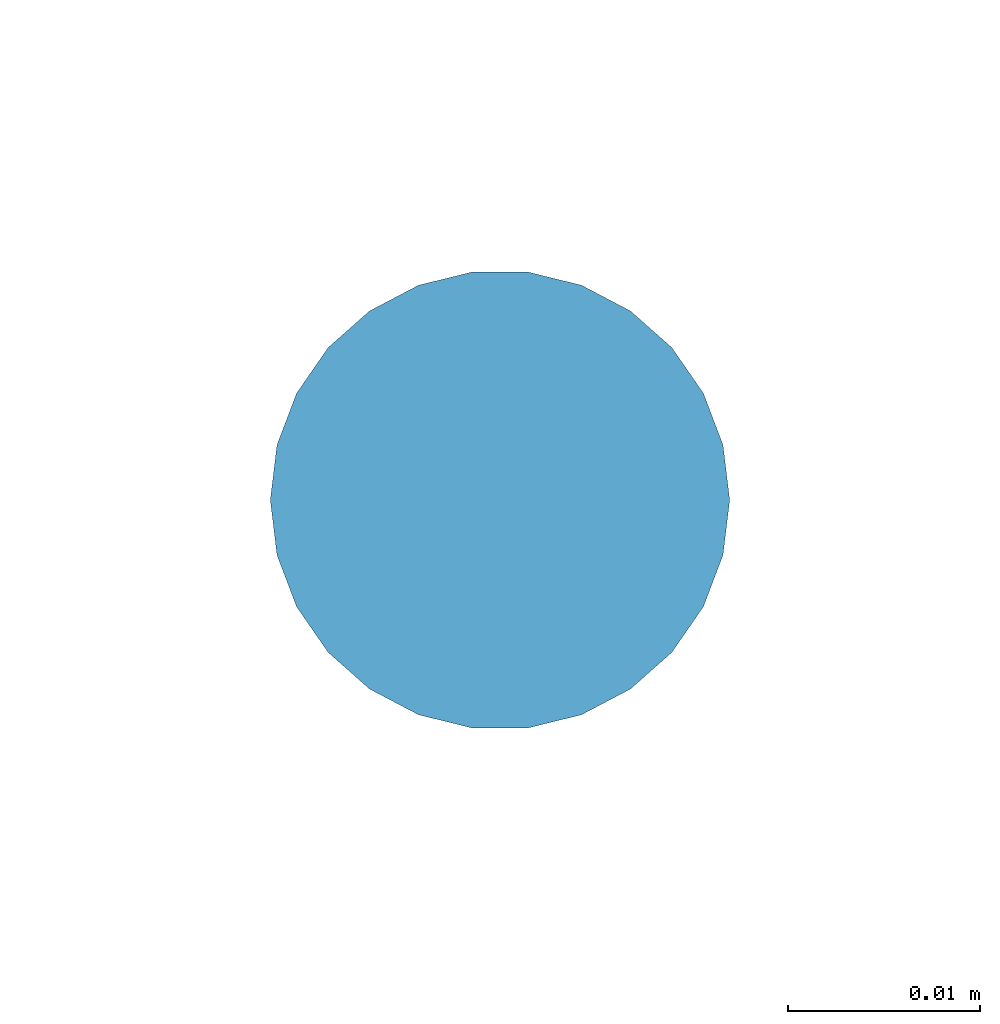
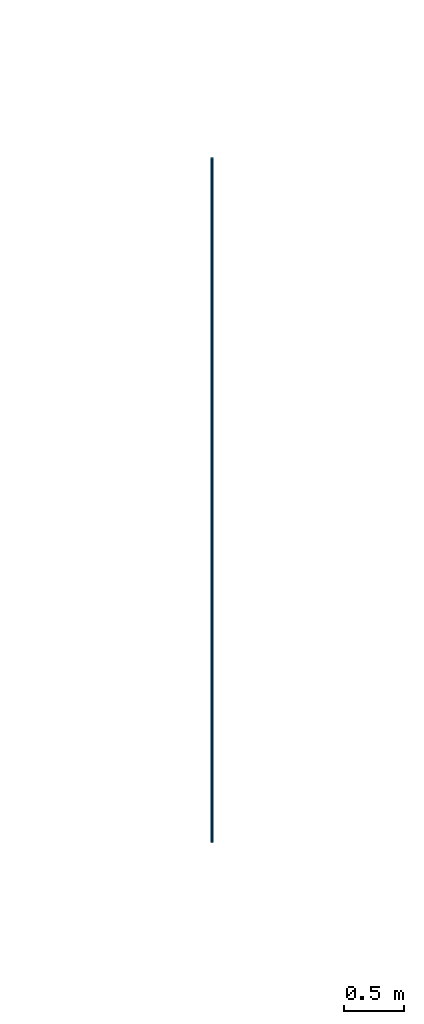
# One storey, part 16 of 62: 1 member.
"""IFC4 building model written with IfcOpenShell, lengths in metres."""

from ifc_helpers import new_model, si_unit, direction, frame, origin, origin_2d, place, context, subcontext, project, spatial, circle, extrude, material, material_profile, profile_set, type_object, element, save


model = new_model("IFC4")

# Units and contexts
model_context = context("Model", 3, precision=1e-05, world=origin(), true_north=direction((0.0, 1.0)))
body_context = subcontext(model_context, "Body", "Model", "MODEL_VIEW")
ifc_project = project(units=[si_unit("LENGTHUNIT", "METRE"), si_unit("AREAUNIT", "SQUARE_METRE"), si_unit("VOLUMEUNIT", "CUBIC_METRE"), si_unit("PLANEANGLEUNIT", "RADIAN"), si_unit("MASSUNIT", "GRAM", prefix="KILO")], contexts=[model_context])

# Site, building, storey
site_placement = place(None, origin())
site = spatial("IfcSite", under=ifc_project, at=site_placement, CompositionType="ELEMENT")
building_placement = place(site_placement, origin())
building = spatial("IfcBuilding", under=site, at=building_placement, Name="Hortulan Conservatory and Botanical Research Centre", CompositionType="ELEMENT")
storey_placement = place(building_placement, frame((0.0, 0.0, 15.0)))
storey = spatial("IfcBuildingStorey", under=building, at=storey_placement, Name="L03", CompositionType="ELEMENT", Elevation=15.0)

# Member
ifc_material = material(Name="Steel Grade 300PLUS (AS/NZS 3679.1, 280 MPa minimum yield)", Category="steel")
ifc_material_profile = material_profile(ifc_material, circle(Radius=0.011962890625, at=origin_2d()), Name="24 dia rod")
ifc_profile_set = profile_set([ifc_material_profile], Name="Steel Grade 300PLUS (AS/NZS 3679.1, 280 MPa minimum yield)")
member_type = type_object("IfcMemberType", Name="Vault Hanger 24 dia rod", PredefinedType="POST", material=ifc_profile_set)
member_placement = place(storey_placement, frame((99.0, 45.0, -1.0), z_axis=(0.0, 0.0, 1.0), x_axis=(1.0, 0.0, 0.0)))
element("IfcMember", 1, at=member_placement, inside=storey, type_object=member_type, Name="Vault hanger 2", PredefinedType="POST", context=body_context, shape_type="SweptSolid", body=[
    extrude(circle(Radius=0.011962890625, at=origin_2d()), origin(), (0.0, 0.0, 1.0), 7.0),
])

save(model, "model.ifc")
